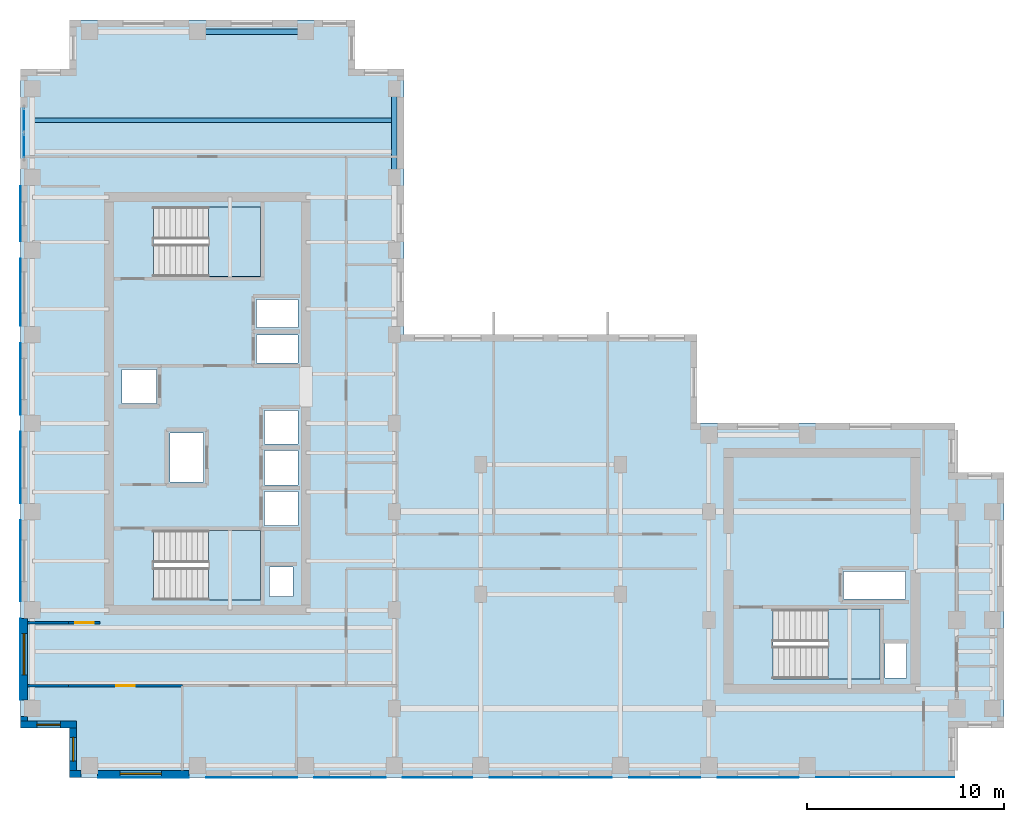
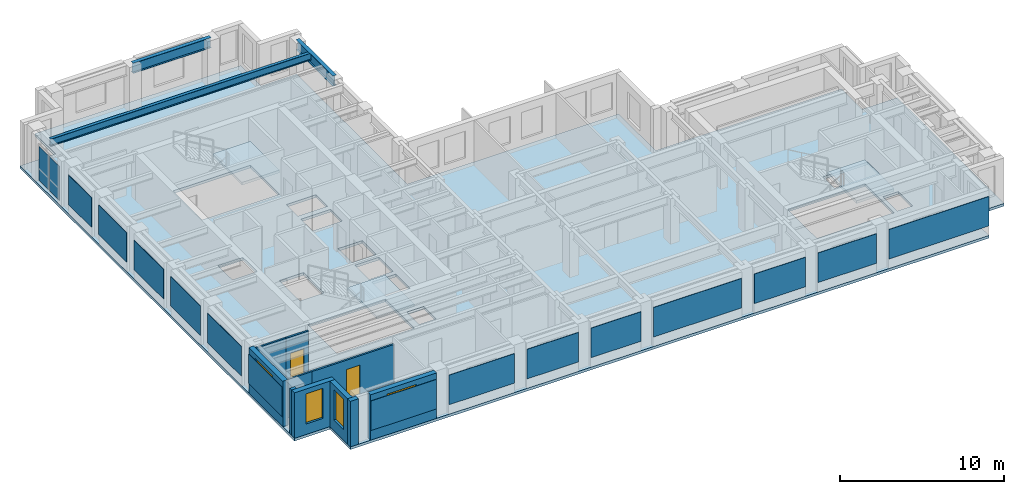
# One storey, part 5 of 12: 16 plates, 10 walls, 4 slabs, 4 windows, 3 beams, 2 doors, 6 openings, 4 elements without a shape of their own.
"""IFC4 building model written with IfcOpenShell, lengths in metres."""

from ifc_helpers import new_model, si_unit, direction, frame, frame_2d, origin, origin_2d, place, context, subcontext, project, spatial, polyline, rectangle, i_section, outline, extrude, source, transform, mapped, material, layer, layer_set, material_profile, profile_set, type_object, element, fill, aggregate, save


model = new_model("IFC4")

# Units and contexts
model_context = context("Model", 3, precision=1e-05, world=origin(), true_north=direction((0.0, 1.0)))
body_context = subcontext(model_context, "Body", "Model", "MODEL_VIEW")
ifc_project = project(units=[si_unit("LENGTHUNIT", "METRE"), si_unit("AREAUNIT", "SQUARE_METRE"), si_unit("VOLUMEUNIT", "CUBIC_METRE"), si_unit("PLANEANGLEUNIT", "RADIAN"), si_unit("MASSUNIT", "GRAM", prefix="KILO")], contexts=[model_context])

# Site, building, storey
site_placement = place(None, origin())
site = spatial("IfcSite", under=ifc_project, at=site_placement, CompositionType="ELEMENT")
building_placement = place(site_placement, origin())
building = spatial("IfcBuilding", under=site, at=building_placement, Name="Kharzan Plaza Tower", CompositionType="ELEMENT")
storey_placement = place(building_placement, frame((0.0, 0.0, 255.60009765625)))
storey = spatial("IfcBuildingStorey", under=building, at=storey_placement, Name="L69", CompositionType="ELEMENT", Elevation=255.60009765625)

# Beams
ifc_material_1 = material(Name="Steel S355", Category="steel")
ifc_material_profile_1 = material_profile(ifc_material_1, i_section(OverallWidth=0.2099609375, OverallDepth=0.537109375, WebThickness=0.010986328125, FlangeThickness=0.017333984375, at=origin_2d()), Name="W530x101")
ifc_profile_set_1 = profile_set([ifc_material_profile_1], Name="Steel S355")
beam_type_1 = type_object("IfcBeamType", Name="BM-JST530B", PredefinedType="JOIST", material=ifc_profile_set_1)
shared_shape_1 = source(origin(), body_context, "Body", "SweptSolid", [
    extrude(i_section(OverallWidth=0.2099609375, OverallDepth=0.537109375, WebThickness=0.010986328125, FlangeThickness=0.017333984375, at=origin_2d()), origin(), (0.0, 0.0, 1.0), 18.39990234375),
])
beam_1_placement = place(storey_placement, frame((0.60009765625, 33.39990234375, 3.13134765625), z_axis=(1.0, 0.0, 0.0), x_axis=(0.0, 1.0, 0.0)))
element("IfcBeam", 1, at=beam_1_placement, inside=storey, type_object=beam_type_1, Name="L69 Wing A Composite Joist 05", PredefinedType="JOIST", context=body_context, shape_type="MappedRepresentation", body=[
    mapped(shared_shape_1, transform((0.0, 0.0, 0.0), x_axis=(1.0, 0.0, 0.0), y_axis=(0.0, 1.0, 0.0), z_axis=(0.0, 0.0, 1.0))),
])
ifc_material_profile_2 = material_profile(ifc_material_1, i_section(OverallWidth=0.26708984375, OverallDepth=0.76611328125, WebThickness=0.014892578125, FlangeThickness=0.023681640625, at=origin_2d()), Name="W760x185")
ifc_profile_set_2 = profile_set([ifc_material_profile_2], Name="Steel S355")
beam_type_2 = type_object("IfcBeamType", Name="BM-SP760B", PredefinedType="SPANDREL", material=ifc_profile_set_2)
shared_shape_2 = source(origin(), body_context, "Body", "SweptSolid", [
    extrude(i_section(OverallWidth=0.26708984375, OverallDepth=0.76611328125, WebThickness=0.014892578125, FlangeThickness=0.023681640625, at=origin_2d()), origin(), (0.0, 0.0, 1.0), 4.5),
])
beam_2_placement = place(storey_placement, frame((19.0, 30.5, 3.016845703125), z_axis=(0.0, 1.0, 0.0), x_axis=(-1.0, 0.0, 0.0)))
element("IfcBeam", 2, at=beam_2_placement, inside=storey, type_object=beam_type_2, Name="L69 Perimeter Tube Spandrel", PredefinedType="SPANDREL", context=body_context, shape_type="MappedRepresentation", body=[
    mapped(shared_shape_2, transform((0.0, 0.0, 0.0), x_axis=(1.0, 0.0, 0.0), y_axis=(0.0, 1.0, 0.0), z_axis=(0.0, 0.0, 1.0))),
])
shared_shape_3 = source(origin(), body_context, "Body", "SweptSolid", [
    extrude(i_section(OverallWidth=0.26708984375, OverallDepth=0.76611328125, WebThickness=0.014892578125, FlangeThickness=0.023681640625, at=origin_2d()), origin(), (0.0, 0.0, 1.0), 5.5),
])
beam_3_placement = place(storey_placement, frame((9.0, 37.89990234375, 3.016845703125), z_axis=(1.0, 0.0, 0.0), x_axis=(0.0, 1.0, 0.0)))
element("IfcBeam", 3, at=beam_3_placement, inside=storey, type_object=beam_type_2, Name="L69 Perimeter Tube Spandrel", PredefinedType="SPANDREL", context=body_context, shape_type="MappedRepresentation", body=[
    mapped(shared_shape_3, transform((0.0, 0.0, 0.0), x_axis=(1.0, 0.0, 0.0), y_axis=(0.0, 1.0, 0.0), z_axis=(0.0, 0.0, 1.0))),
])

# Slab
ifc_material_2 = material(Name="Concrete C40/50", Category="concrete")
ifc_layer_1 = layer(ifc_material_2, 0.199951171875)
ifc_layer_set_1 = layer_set([ifc_layer_1], Name="Concrete C40/50")
slab_type_1 = type_object("IfcSlabType", Name="SL-FLOOR-200", PredefinedType="FLOOR", material=ifc_layer_set_1)
slab_1_placement = place(storey_placement, frame((0.0, 0.0, -0.2001953125)))
element("IfcSlab", 4, at=slab_1_placement, inside=storey, type_object=slab_type_1, Name="L69 Composite Structural Floor Slab 200 mm", PredefinedType="FLOOR", context=body_context, shape_type="SweptSolid", body=[
    extrude(outline(polyline([(34.39990234375, 18.0), (34.39990234375, 22.5), (19.5, 22.5), (19.5, 36.0), (17.0, 36.0), (17.0, 38.5), (2.5, 38.5), (2.5, 36.0), (0.0, 36.0), (0.0, 2.5), (2.5, 2.5), (2.5, 0.0), (19.5, 0.0), (34.39990234375, 0.0), (47.5, 0.0), (47.5, 2.5), (50.0, 2.5), (50.0, 15.5), (47.5, 15.5), (47.5, 18.0), (34.39990234375, 18.0)]), holes=[polyline([(12.199951171875, 12.550048828125), (6.75, 12.550048828125), (6.75, 9.0), (12.199951171875, 9.0), (12.199951171875, 12.550048828125)]), polyline([(14.10009765625, 12.800048828125), (14.10009765625, 14.530029296875), (12.39990234375, 14.530029296875), (12.39990234375, 12.800048828125), (14.10009765625, 12.800048828125)]), polyline([(9.300048828125, 15.0), (9.300048828125, 17.5), (7.60009765625, 17.5), (7.60009765625, 15.0), (9.300048828125, 15.0)]), polyline([(6.89990234375, 20.72998046875), (5.14990234375, 20.72998046875), (5.14990234375, 19.010009765625), (6.89990234375, 19.010009765625), (6.89990234375, 20.72998046875)]), polyline([(14.10009765625, 21.070068359375), (14.10009765625, 22.489990234375), (12.0, 22.489990234375), (12.0, 21.070068359375), (14.10009765625, 21.070068359375)]), polyline([(14.10009765625, 22.8701171875), (14.10009765625, 24.2900390625), (12.0, 24.2900390625), (12.0, 22.8701171875), (14.10009765625, 22.8701171875)]), polyline([(12.199951171875, 29.0), (6.75, 29.0), (6.75, 25.449951171875), (12.199951171875, 25.449951171875), (12.199951171875, 29.0)]), polyline([(45.050048828125, 5.050048828125), (45.050048828125, 6.800048828125), (43.949951171875, 6.800048828125), (43.949951171875, 5.050048828125), (45.050048828125, 5.050048828125)]), polyline([(43.699951171875, 5.0), (43.699951171875, 8.550048828125), (38.25, 8.550048828125), (38.25, 5.0), (43.699951171875, 5.0)]), polyline([(45.0, 9.070068359375), (45.0, 10.469970703125), (41.85009765625, 10.469970703125), (41.85009765625, 9.070068359375), (45.0, 9.070068359375)]), polyline([(13.85009765625, 9.199951171875), (13.85009765625, 10.699951171875), (12.64990234375, 10.699951171875), (12.64990234375, 9.199951171875), (13.85009765625, 9.199951171875)]), polyline([(14.10009765625, 14.8701171875), (14.10009765625, 16.60009765625), (12.39990234375, 16.60009765625), (12.39990234375, 14.8701171875), (14.10009765625, 14.8701171875)]), polyline([(14.10009765625, 16.93994140625), (14.10009765625, 18.64990234375), (12.39990234375, 18.64990234375), (12.39990234375, 16.93994140625), (14.10009765625, 16.93994140625)])]), origin(), (0.0, 0.0, 1.0), 0.2001953125),
])

# Stair, slab
stair_type_1 = type_object("IfcStairType", Name="STR-ST-1", PredefinedType="HALF_TURN_STAIR", material=ifc_material_2)
stair_1_placement = place(storey_placement, origin())
stair_1 = element("IfcStair", 5, at=stair_1_placement, inside=storey, type_object=stair_type_1, Name="L69 Protected Exit Stair ST-1", PredefinedType="HALF_TURN_STAIR")
ifc_layer_2 = layer(ifc_material_2, 0.219970703125)
ifc_layer_set_2 = layer_set([ifc_layer_2], Name="Concrete C40/50")
slab_type_2 = type_object("IfcSlabType", Name="SL-LANDING-220", PredefinedType="LANDING", material=ifc_layer_set_2)
slab_2_placement = place(storey_placement, frame((0.0, 0.0, 1.599853515625)))
slab_2 = element("IfcSlab", 6, at=slab_2_placement, type_object=slab_type_2, Name="ST-1 landing 1", PredefinedType="LANDING", context=body_context, shape_type="SweptSolid", body=[
    extrude(outline(polyline([(9.550048828125, 9.0), (12.199951171875, 9.0), (12.199951171875, 12.550048828125), (9.550048828125, 12.550048828125), (9.550048828125, 9.0)])), origin(), (0.0, 0.0, 1.0), 0.199951171875),
])
aggregate(stair_1, [slab_2])

stair_type_2 = type_object("IfcStairType", Name="STR-ST-2", PredefinedType="HALF_TURN_STAIR", material=ifc_material_2)
stair_2_placement = place(storey_placement, origin())
stair_2 = element("IfcStair", 7, at=stair_2_placement, inside=storey, type_object=stair_type_2, Name="L69 Protected Exit Stair ST-2", PredefinedType="HALF_TURN_STAIR")
slab_3_placement = place(storey_placement, frame((0.0, 0.0, 1.599853515625)))
slab_3 = element("IfcSlab", 8, at=slab_3_placement, type_object=slab_type_2, Name="ST-2 landing 1", PredefinedType="LANDING", context=body_context, shape_type="SweptSolid", body=[
    extrude(outline(polyline([(9.550048828125, 25.449951171875), (12.199951171875, 25.449951171875), (12.199951171875, 29.0), (9.550048828125, 29.0), (9.550048828125, 25.449951171875)])), origin(), (0.0, 0.0, 1.0), 0.199951171875),
])
aggregate(stair_2, [slab_3])

stair_type_3 = type_object("IfcStairType", Name="STR-ST-3", PredefinedType="HALF_TURN_STAIR", material=ifc_material_2)
stair_3_placement = place(storey_placement, origin())
stair_3 = element("IfcStair", 9, at=stair_3_placement, inside=storey, type_object=stair_type_3, Name="L69 Protected Exit Stair ST-3", PredefinedType="HALF_TURN_STAIR")
slab_4_placement = place(storey_placement, frame((0.0, 0.0, 1.599853515625)))
slab_4 = element("IfcSlab", 10, at=slab_4_placement, type_object=slab_type_2, Name="ST-3 landing 1", PredefinedType="LANDING", context=body_context, shape_type="SweptSolid", body=[
    extrude(outline(polyline([(41.050048828125, 5.0), (43.699951171875, 5.0), (43.699951171875, 8.550048828125), (41.050048828125, 8.550048828125), (41.050048828125, 5.0)])), origin(), (0.0, 0.0, 1.0), 0.199951171875),
])
aggregate(stair_3, [slab_4])

# Plates
ifc_material_3 = material(Name="Perforated Bronze-Anodized Aluminium", Category="aluminium")
ifc_layer_3 = layer(ifc_material_3, 0.030029296875)
ifc_layer_set_3 = layer_set([ifc_layer_3], Name="Perforated Bronze-Anodized Aluminium")
plate_type_1 = type_object("IfcPlateType", Name="PLT-MASH-SCREEN", PredefinedType="SHEET", material=ifc_layer_set_3)
shared_shape_4 = source(origin(), body_context, "Body", "SweptSolid", [
    extrude(rectangle(XDim=3.614013671875, YDim=0.030029296875, at=origin_2d()), origin(), (0.0, 0.0, 1.0), 2.199951171875),
])
for number, where, z_axis, x_axis, name in (
    (11, (-0.012939453125, 20.25, 0.72998046875), (0.0, 0.0, 1.0), (0.0, -1.0, 0.0), "L69 Perforated Mashrabiya Solar Screen"),
    (12, (-0.012939453125, 15.75, 0.72998046875), (0.0, 0.0, 1.0), (0.0, -1.0, 0.0), "L69 Perforated Mashrabiya Solar Screen"),
    (13, (16.75, -0.012939453125, 0.72998046875), (0.0, 0.0, 1.0), (1.0, 0.0, 0.0), "L69 Perforated Mashrabiya Solar Screen"),
    (14, (32.75, -0.012939453125, 0.72998046875), (0.0, 0.0, 1.0), (1.0, 0.0, 0.0), "L69 Perforated Mashrabiya Solar Screen"),
):
    element("IfcPlate", number, at=place(storey_placement, frame(where, z_axis=z_axis, x_axis=x_axis)), inside=storey, type_object=plate_type_1, Name=name, PredefinedType="SHEET", context=body_context, shape_type="MappedRepresentation", body=[
        mapped(shared_shape_4, transform((0.0, 0.0, 0.0), x_axis=(1.0, 0.0, 0.0), y_axis=(0.0, 1.0, 0.0), z_axis=(0.0, 0.0, 1.0))),
    ])
shared_shape_5 = source(origin(), body_context, "Body", "SweptSolid", [
    extrude(rectangle(XDim=2.81396484375, YDim=0.030029296875, at=origin_2d()), origin(), (0.0, 0.0, 1.0), 2.199951171875),
])
plate_1_placement = place(storey_placement, frame((-0.012939453125, 28.64990234375, 0.72998046875), z_axis=(0.0, 0.0, 1.0), x_axis=(0.0, -1.0, 0.0)))
element("IfcPlate", 15, at=plate_1_placement, inside=storey, type_object=plate_type_1, Name="L69 Perforated Mashrabiya Solar Screen", PredefinedType="SHEET", context=body_context, shape_type="MappedRepresentation", body=[
    mapped(shared_shape_5, transform((0.0, 0.0, 0.0), x_axis=(1.0, 0.0, 0.0), y_axis=(0.0, 1.0, 0.0), z_axis=(0.0, 0.0, 1.0))),
])
shared_shape_6 = source(origin(), body_context, "Body", "SweptSolid", [
    extrude(rectangle(XDim=4.114013671875, YDim=0.030029296875, at=origin_2d()), origin(), (0.0, 0.0, 1.0), 2.199951171875),
])
for number, where, z_axis, x_axis, name in (
    (16, (-0.012939453125, 11.0, 0.72998046875), (0.0, 0.0, 1.0), (0.0, -1.0, 0.0), "L69 Perforated Mashrabiya Solar Screen"),
    (17, (-0.012939453125, 6.0, 0.72998046875), (0.0, 0.0, 1.0), (0.0, -1.0, 0.0), "L69 Perforated Mashrabiya Solar Screen"),
    (18, (37.5, -0.012939453125, 0.72998046875), (0.0, 0.0, 1.0), (1.0, 0.0, 0.0), "L69 Perforated Mashrabiya Solar Screen"),
):
    element("IfcPlate", number, at=place(storey_placement, frame(where, z_axis=z_axis, x_axis=x_axis)), inside=storey, type_object=plate_type_1, Name=name, PredefinedType="SHEET", context=body_context, shape_type="MappedRepresentation", body=[
        mapped(shared_shape_6, transform((0.0, 0.0, 0.0), x_axis=(1.0, 0.0, 0.0), y_axis=(0.0, 1.0, 0.0), z_axis=(0.0, 0.0, 1.0))),
    ])
shared_shape_7 = source(origin(), body_context, "Body", "SweptSolid", [
    extrude(rectangle(XDim=4.614013671875, YDim=0.030029296875, at=origin_2d()), origin(), (0.0, 0.0, 1.0), 2.199951171875),
])
for number, where, z_axis, x_axis, name in (
    (19, (6.25, -0.012939453125, 0.72998046875), (0.0, 0.0, 1.0), (1.0, 0.0, 0.0), "L69 Perforated Mashrabiya Solar Screen"),
    (20, (11.75, -0.012939453125, 0.72998046875), (0.0, 0.0, 1.0), (1.0, 0.0, 0.0), "L69 Perforated Mashrabiya Solar Screen"),
):
    element("IfcPlate", number, at=place(storey_placement, frame(where, z_axis=z_axis, x_axis=x_axis)), inside=storey, type_object=plate_type_1, Name=name, PredefinedType="SHEET", context=body_context, shape_type="MappedRepresentation", body=[
        mapped(shared_shape_7, transform((0.0, 0.0, 0.0), x_axis=(1.0, 0.0, 0.0), y_axis=(0.0, 1.0, 0.0), z_axis=(0.0, 0.0, 1.0))),
    ])
shared_shape_8 = source(origin(), body_context, "Body", "SweptSolid", [
    extrude(rectangle(XDim=7.037109375, YDim=0.030029296875, at=origin_2d()), origin(), (0.0, 0.0, 1.0), 2.199951171875),
])
plate_2_placement = place(storey_placement, frame((43.96142578125, -0.012939453125, 0.72998046875), z_axis=(0.0, 0.0, 1.0), x_axis=(1.0, 0.0, 0.0)))
element("IfcPlate", 21, at=plate_2_placement, inside=storey, type_object=plate_type_1, Name="L69 Perforated Mashrabiya Solar Screen", PredefinedType="SHEET", context=body_context, shape_type="MappedRepresentation", body=[
    mapped(shared_shape_8, transform((0.0, 0.0, 0.0), x_axis=(1.0, 0.0, 0.0), y_axis=(0.0, 1.0, 0.0), z_axis=(0.0, 0.0, 1.0))),
])
shared_shape_9 = source(origin(), body_context, "Body", "SweptSolid", [
    extrude(rectangle(XDim=3.4140625, YDim=0.030029296875, at=origin_2d()), origin(), (0.0, 0.0, 1.0), 2.199951171875),
])
plate_3_placement = place(storey_placement, frame((-0.012939453125, 24.64990234375, 0.72998046875), z_axis=(0.0, 0.0, 1.0), x_axis=(0.0, -1.0, 0.0)))
element("IfcPlate", 22, at=plate_3_placement, inside=storey, type_object=plate_type_1, Name="L69 Perforated Mashrabiya Solar Screen", PredefinedType="SHEET", context=body_context, shape_type="MappedRepresentation", body=[
    mapped(shared_shape_9, transform((0.0, 0.0, 0.0), x_axis=(1.0, 0.0, 0.0), y_axis=(0.0, 1.0, 0.0), z_axis=(0.0, 0.0, 1.0))),
])

# Curtain wall, plates
ifc_material_4 = material(Name="Unitised Bronze-Anodized Aluminium and Low-E Glass", Category="aluminium")
ifc_layer_4 = layer(ifc_material_4, 0.199951171875)
ifc_layer_set_4 = layer_set([ifc_layer_4], Name="Unitised Bronze-Anodized Aluminium and Low-E Glass")
curtain_wall_type = type_object("IfcCurtainWallType", Name="CW-EXEC-5", PredefinedType="NOTDEFINED", material=ifc_layer_set_4)
curtain_wall_placement = place(storey_placement, origin())
curtain_wall = element("IfcCurtainWall", 23, at=curtain_wall_placement, inside=storey, type_object=curtain_wall_type, Name="L69 Upper Executive Setback Panoramic Curtain Wall", PredefinedType="NOTDEFINED")
ifc_material_5 = material(Name="Dark Solar-Control Double Glazing", Category="glass")
ifc_layer_5 = layer(ifc_material_5, 0.031982421875)
ifc_layer_set_5 = layer_set([ifc_layer_5], Name="Dark Solar-Control Double Glazing")
plate_type_2 = type_object("IfcPlateType", Name="PLT-CW-GLASS", PredefinedType="CURTAIN_PANEL", material=ifc_layer_set_5)
shared_shape_10 = source(origin(), body_context, "Body", "SweptSolid", [
    extrude(rectangle(XDim=1.179931640625, YDim=0.031982421875, at=origin_2d()), origin(), (0.0, 0.0, 1.0), 2.5400390625),
])
plate_4_placement = place(storey_placement, frame((0.179931640625, 32.10009765625, 0.079833984375), z_axis=(0.0, 0.0, 1.0), x_axis=(0.0, 1.0, 0.0)))
plate_4 = element("IfcPlate", 24, at=plate_4_placement, type_object=plate_type_2, Name="L69 Curtain-Wall Glazed Panel 00", PredefinedType="CURTAIN_PANEL", context=body_context, shape_type="MappedRepresentation", body=[
    mapped(shared_shape_10, transform((0.0, 0.0, 0.0), x_axis=(1.0, 0.0, 0.0), y_axis=(0.0, 1.0, 0.0), z_axis=(0.0, 0.0, 1.0))),
])
plate_5_placement = place(storey_placement, frame((0.179931640625, 33.39990234375, 0.079833984375), z_axis=(0.0, 0.0, 1.0), x_axis=(0.0, 1.0, 0.0)))
plate_5 = element("IfcPlate", 25, at=plate_5_placement, type_object=plate_type_2, Name="L69 Curtain-Wall Glazed Panel 01", PredefinedType="CURTAIN_PANEL", context=body_context, shape_type="MappedRepresentation", body=[
    mapped(shared_shape_10, transform((0.0, 0.0, 0.0), x_axis=(1.0, 0.0, 0.0), y_axis=(0.0, 1.0, 0.0), z_axis=(0.0, 0.0, 1.0))),
])
aggregate(curtain_wall, [plate_4, plate_5])

# Plates
shared_shape_11 = source(origin(), body_context, "Body", "SweptSolid", [
    extrude(rectangle(XDim=3.513916015625, YDim=0.030029296875, at=origin_2d()), origin(), (0.0, 0.0, 1.0), 2.199951171875),
])
plate_6_placement = place(storey_placement, frame((21.199951171875, -0.012939453125, 0.72998046875), z_axis=(0.0, 0.0, 1.0), x_axis=(1.0, 0.0, 0.0)))
element("IfcPlate", 26, at=plate_6_placement, inside=storey, type_object=plate_type_1, Name="L69 Perforated Mashrabiya Solar Screen", PredefinedType="SHEET", context=body_context, shape_type="MappedRepresentation", body=[
    mapped(shared_shape_11, transform((0.0, 0.0, 0.0), x_axis=(1.0, 0.0, 0.0), y_axis=(0.0, 1.0, 0.0), z_axis=(0.0, 0.0, 1.0))),
])
shared_shape_12 = source(origin(), body_context, "Body", "SweptSolid", [
    extrude(rectangle(XDim=6.214111328125, YDim=0.030029296875, at=origin_2d()), origin(), (0.0, 0.0, 1.0), 2.199951171875),
])
plate_7_placement = place(storey_placement, frame((26.949951171875, -0.012939453125, 0.72998046875), z_axis=(0.0, 0.0, 1.0), x_axis=(1.0, 0.0, 0.0)))
element("IfcPlate", 27, at=plate_7_placement, inside=storey, type_object=plate_type_1, Name="L69 Perforated Mashrabiya Solar Screen", PredefinedType="SHEET", context=body_context, shape_type="MappedRepresentation", body=[
    mapped(shared_shape_12, transform((0.0, 0.0, 0.0), x_axis=(1.0, 0.0, 0.0), y_axis=(0.0, 1.0, 0.0), z_axis=(0.0, 0.0, 1.0))),
])

# Wall, opening, window
ifc_layer_6 = layer(ifc_material_2, 0.35009765625)
ifc_layer_set_6 = layer_set([ifc_layer_6], Name="Concrete C40/50")
wall_type_1 = type_object("IfcWallType", Name="WL-EXT-MAS-Z4", PredefinedType="SOLIDWALL", material=ifc_layer_set_6)
wall_1_placement = place(storey_placement, frame((0.175048828125, 8.076904296875, 0.0), z_axis=(0.0, 0.0, 1.0), x_axis=(0.0, -1.0, 0.0)))
wall_1 = element("IfcWall", 28, at=wall_1_placement, inside=storey, type_object=wall_type_1, Name="L69 Masonry-Frame Exterior Wall 22", PredefinedType="SOLIDWALL", context=body_context, shape_type="SweptSolid", body=[
    extrude(rectangle(XDim=4.15380859375, YDim=0.35009765625, at=frame_2d((2.076904296875, 0.0))), origin(), (0.0, 0.0, 1.0), 3.385009765625),
])
opening_1_placement = place(wall_1_placement, frame((0.777099609375, 0.0, 0.780029296875)))
opening_1 = element("IfcOpeningElement", 29, at=opening_1_placement, cuts=wall_1, Name="Opening W6", PredefinedType="OPENING", context=body_context, shape_type="SweptSolid", body=[
    extrude(rectangle(XDim=2.10009765625, YDim=2.25, at=frame_2d((1.050048828125, 1.125))), frame((0.0, 0.18505859375, 0.0), z_axis=(0.0, -1.0, 0.0), x_axis=(1.0, 0.0, 0.0)), (0.0, 0.0, 1.0), 0.3701171875),
])
ifc_material_6 = material(Name="Low-E Double Glazing", Category="glass")
window_type_1 = type_object("IfcWindowType", Name="WN-EXEC-2100x2250", PartitioningType="SINGLE_PANEL", PredefinedType="WINDOW", material=ifc_material_6)
shared_shape_13 = source(origin(), body_context, "Body", "SweptSolid", [
    extrude(rectangle(XDim=2.10009765625, YDim=2.25, at=frame_2d((1.050048828125, 1.125))), frame((0.0, 0.030029296875, 0.0), z_axis=(0.0, -1.0, 0.0), x_axis=(1.0, 0.0, 0.0)), (0.0, 0.0, 1.0), 0.06005859375),
])
window_1_placement = place(opening_1_placement, origin())
window_1 = element("IfcWindow", 30, at=window_1_placement, inside=storey, type_object=window_type_1, Name="L69 Recessed Solar-Control Window 22-1", OverallHeight=2.25, OverallWidth=2.10009765625, PartitioningType="SINGLE_PANEL", PredefinedType="WINDOW", context=body_context, shape_type="MappedRepresentation", body=[
    mapped(shared_shape_13, transform((0.0, 0.0, 0.0), x_axis=(1.0, 0.0, 0.0), y_axis=(0.0, 1.0, 0.0), z_axis=(0.0, 0.0, 1.0))),
])
fill(opening_1, window_1)

wall_2_placement = place(storey_placement, frame((0.0, 2.675048828125, 0.0), z_axis=(0.0, 0.0, 1.0), x_axis=(1.0, 0.0, 0.0)))
wall_2 = element("IfcWall", 31, at=wall_2_placement, inside=storey, type_object=wall_type_1, Name="L69 Masonry-Frame Exterior Wall 24", PredefinedType="SOLIDWALL", context=body_context, shape_type="SweptSolid", body=[
    extrude(rectangle(XDim=2.85009765625, YDim=0.35009765625, at=frame_2d((1.425048828125, 0.0))), origin(), (0.0, 0.0, 1.0), 3.385009765625),
])
opening_2_placement = place(wall_2_placement, frame((0.824951171875, 0.0, 0.780029296875)))
opening_2 = element("IfcOpeningElement", 32, at=opening_2_placement, cuts=wall_2, Name="Opening W3", PredefinedType="OPENING", context=body_context, shape_type="SweptSolid", body=[
    extrude(rectangle(XDim=1.199951171875, YDim=2.25, at=frame_2d((0.60009765625, 1.125))), frame((0.0, 0.18505859375, 0.0), z_axis=(0.0, -1.0, 0.0), x_axis=(1.0, 0.0, 0.0)), (0.0, 0.0, 1.0), 0.3701171875),
])
window_type_2 = type_object("IfcWindowType", Name="WN-REC-1200x2100", PartitioningType="SINGLE_PANEL", PredefinedType="WINDOW", material=ifc_material_6)
shared_shape_14 = source(origin(), body_context, "Body", "SweptSolid", [
    extrude(rectangle(XDim=1.199951171875, YDim=2.25, at=frame_2d((0.60009765625, 1.125))), frame((0.0, 0.030029296875, 0.0), z_axis=(0.0, -1.0, 0.0), x_axis=(1.0, 0.0, 0.0)), (0.0, 0.0, 1.0), 0.06005859375),
])
window_2_placement = place(opening_2_placement, origin())
window_2 = element("IfcWindow", 33, at=window_2_placement, inside=storey, type_object=window_type_2, Name="L69 Recessed Solar-Control Window 24-1", OverallHeight=2.25, OverallWidth=1.199951171875, PartitioningType="SINGLE_PANEL", PredefinedType="WINDOW", context=body_context, shape_type="MappedRepresentation", body=[
    mapped(shared_shape_14, transform((0.0, 0.0, 0.0), x_axis=(1.0, 0.0, 0.0), y_axis=(0.0, 1.0, 0.0), z_axis=(0.0, 0.0, 1.0))),
])
fill(opening_2, window_2)

wall_3_placement = place(storey_placement, frame((2.675048828125, 2.501953125, 0.0), z_axis=(0.0, 0.0, 1.0), x_axis=(0.0, -1.0, 0.0)))
wall_3 = element("IfcWall", 34, at=wall_3_placement, inside=storey, type_object=wall_type_1, Name="L69 Masonry-Frame Exterior Wall 25", PredefinedType="SOLIDWALL", context=body_context, shape_type="SweptSolid", body=[
    extrude(rectangle(XDim=2.154052734375, YDim=0.35009765625, at=frame_2d((1.0771484375, 0.0))), origin(), (0.0, 0.0, 1.0), 3.385009765625),
])
opening_3_placement = place(wall_3_placement, frame((0.47705078125, 0.0, 0.780029296875)))
opening_3 = element("IfcOpeningElement", 35, at=opening_3_placement, cuts=wall_3, Name="Opening W3", PredefinedType="OPENING", context=body_context, shape_type="SweptSolid", body=[
    extrude(rectangle(XDim=1.199951171875, YDim=2.25, at=frame_2d((0.60009765625, 1.125))), frame((0.0, 0.18505859375, 0.0), z_axis=(0.0, -1.0, 0.0), x_axis=(1.0, 0.0, 0.0)), (0.0, 0.0, 1.0), 0.3701171875),
])
window_3_placement = place(opening_3_placement, origin())
window_3 = element("IfcWindow", 36, at=window_3_placement, inside=storey, type_object=window_type_2, Name="L69 Recessed Solar-Control Window 25-1", OverallHeight=2.25, OverallWidth=1.199951171875, PartitioningType="SINGLE_PANEL", PredefinedType="WINDOW", context=body_context, shape_type="MappedRepresentation", body=[
    mapped(shared_shape_14, transform((0.0, 0.0, 0.0), x_axis=(1.0, 0.0, 0.0), y_axis=(0.0, 1.0, 0.0), z_axis=(0.0, 0.0, 1.0))),
])
fill(opening_3, window_3)

wall_4_placement = place(storey_placement, frame((3.923095703125, 0.175048828125, 0.0), z_axis=(0.0, 0.0, 1.0), x_axis=(1.0, 0.0, 0.0)))
wall_4 = element("IfcWall", 37, at=wall_4_placement, inside=storey, type_object=wall_type_1, Name="L69 Masonry-Frame Exterior Wall 27", PredefinedType="SOLIDWALL", context=body_context, shape_type="SweptSolid", body=[
    extrude(rectangle(XDim=4.65380859375, YDim=0.35009765625, at=frame_2d((2.326904296875, 0.0))), origin(), (0.0, 0.0, 1.0), 3.385009765625),
])
opening_4_placement = place(wall_4_placement, frame((1.136962890625, 0.0, 0.780029296875)))
opening_4 = element("IfcOpeningElement", 38, at=opening_4_placement, cuts=wall_4, Name="Opening W6", PredefinedType="OPENING", context=body_context, shape_type="SweptSolid", body=[
    extrude(rectangle(XDim=2.10009765625, YDim=2.25, at=frame_2d((1.050048828125, 1.125))), frame((0.0, 0.18505859375, 0.0), z_axis=(0.0, -1.0, 0.0), x_axis=(1.0, 0.0, 0.0)), (0.0, 0.0, 1.0), 0.3701171875),
])
window_4_placement = place(opening_4_placement, origin())
window_4 = element("IfcWindow", 39, at=window_4_placement, inside=storey, type_object=window_type_1, Name="L69 Recessed Solar-Control Window 27-1", OverallHeight=2.25, OverallWidth=2.10009765625, PartitioningType="SINGLE_PANEL", PredefinedType="WINDOW", context=body_context, shape_type="MappedRepresentation", body=[
    mapped(shared_shape_13, transform((0.0, 0.0, 0.0), x_axis=(1.0, 0.0, 0.0), y_axis=(0.0, 1.0, 0.0), z_axis=(0.0, 0.0, 1.0))),
])
fill(opening_4, window_4)

# Wall, opening, door
ifc_material_7 = material(Name="Fire-Rated Gypsum Board Partition", Category="gypsum")
ifc_layer_7 = layer(ifc_material_7, 0.125)
ifc_layer_set_7 = layer_set([ifc_layer_7], Name="Fire-Rated Gypsum Board Partition")
wall_type_2 = type_object("IfcWallType", Name="WL-INT-PART-125", PredefinedType="PARTITIONING", material=ifc_layer_set_7)
wall_5_placement = place(storey_placement, frame((2.449951171875, 7.85009765625, 0.0), z_axis=(0.0, 0.0, 1.0), x_axis=(1.0, 0.0, 0.0)))
wall_5 = element("IfcWall", 40, at=wall_5_placement, inside=storey, type_object=wall_type_2, Name="L69 Interior Partition SH-RWSD", PredefinedType="PARTITIONING", context=body_context, shape_type="SweptSolid", body=[
    extrude(rectangle(XDim=1.60009765625, YDim=0.125, at=frame_2d((0.800048828125, 0.0))), origin(), (0.0, 0.0, 1.0), 3.385009765625),
])
opening_5_placement = place(wall_5_placement, frame((0.324951171875, 0.0, 0.0)))
opening_5 = element("IfcOpeningElement", 41, at=opening_5_placement, cuts=wall_5, Name="Opening OD1", PredefinedType="OPENING", context=body_context, shape_type="SweptSolid", body=[
    extrude(rectangle(XDim=0.949951171875, YDim=2.14990234375, at=frame_2d((0.47509765625, 1.074951171875))), frame((0.0, 0.072509765625, 0.0), z_axis=(0.0, -1.0, 0.0), x_axis=(1.0, 0.0, 0.0)), (0.0, 0.0, 1.0), 0.14501953125),
])
ifc_material_8 = material(Name="Acoustic Solid-Core Stained Oak", Category="timber")
door_type = type_object("IfcDoorType", Name="DR-OFF-SINGLE", OperationType="NOTDEFINED", PredefinedType="DOOR", material=ifc_material_8)
shared_shape_15 = source(origin(), body_context, "Body", "SweptSolid", [
    extrude(rectangle(XDim=0.949951171875, YDim=2.14990234375, at=frame_2d((0.47509765625, 1.074951171875))), frame((0.0, 0.02490234375, 0.0), z_axis=(0.0, -1.0, 0.0), x_axis=(1.0, 0.0, 0.0)), (0.0, 0.0, 1.0), 0.050048828125),
])
door_1_placement = place(opening_5_placement, origin())
door_1 = element("IfcDoor", 42, at=door_1_placement, inside=storey, type_object=door_type, Name="L69 West Studio South Door", OperationType="SINGLE_SWING_RIGHT", OverallHeight=2.14990234375, OverallWidth=0.949951171875, PredefinedType="DOOR", context=body_context, shape_type="MappedRepresentation", body=[
    mapped(shared_shape_15, transform((0.0, 0.0, 0.0), x_axis=(1.0, 0.0, 0.0), y_axis=(0.0, 1.0, 0.0), z_axis=(0.0, 0.0, 1.0))),
])
fill(opening_5, door_1)

wall_6_placement = place(storey_placement, frame((2.449951171875, 4.64990234375, 0.0), z_axis=(0.0, 0.0, 1.0), x_axis=(1.0, 0.0, 0.0)))
wall_6 = element("IfcWall", 43, at=wall_6_placement, inside=storey, type_object=wall_type_2, Name="L69 Interior Partition SH-SS-1", PredefinedType="PARTITIONING", context=body_context, shape_type="SweptSolid", body=[
    extrude(rectangle(XDim=5.777099609375, YDim=0.125, at=frame_2d((2.888671875, 0.0))), origin(), (0.0, 0.0, 1.0), 2.847900390625),
])
opening_6_placement = place(wall_6_placement, frame((2.41357421875, 0.0, 0.0)))
opening_6 = element("IfcOpeningElement", 44, at=opening_6_placement, cuts=wall_6, Name="Opening OD1", PredefinedType="OPENING", context=body_context, shape_type="SweptSolid", body=[
    extrude(rectangle(XDim=0.949951171875, YDim=2.14990234375, at=frame_2d((0.47509765625, 1.074951171875))), frame((0.0, 0.072509765625, 0.0), z_axis=(0.0, -1.0, 0.0), x_axis=(1.0, 0.0, 0.0)), (0.0, 0.0, 1.0), 0.14501953125),
])
door_2_placement = place(opening_6_placement, origin())
door_2 = element("IfcDoor", 45, at=door_2_placement, inside=storey, type_object=door_type, Name="L69 Software Engineering Office Door", OperationType="SINGLE_SWING_LEFT", OverallHeight=2.14990234375, OverallWidth=0.949951171875, PredefinedType="DOOR", context=body_context, shape_type="MappedRepresentation", body=[
    mapped(shared_shape_15, transform((0.0, 0.0, 0.0), x_axis=(1.0, 0.0, 0.0), y_axis=(0.0, 1.0, 0.0), z_axis=(0.0, 0.0, 1.0))),
])
fill(opening_6, door_2)

# Walls
shared_shape_16 = source(origin(), body_context, "Body", "SweptSolid", [
    extrude(rectangle(XDim=2.097900390625, YDim=0.125, at=frame_2d((1.048828125, 0.0))), origin(), (0.0, 0.0, 1.0), 3.385009765625),
])
wall_7_placement = place(storey_placement, frame((0.35205078125, 7.85009765625, 0.0), z_axis=(0.0, 0.0, 1.0), x_axis=(1.0, 0.0, 0.0)))
element("IfcWall", 46, at=wall_7_placement, inside=storey, type_object=wall_type_2, Name="L69 Interior Partition SH-RWS0", PredefinedType="PARTITIONING", context=body_context, shape_type="MappedRepresentation", body=[
    mapped(shared_shape_16, transform((0.0, 0.0, 0.0), x_axis=(1.0, 0.0, 0.0), y_axis=(0.0, 1.0, 0.0), z_axis=(0.0, 0.0, 1.0))),
])
shared_shape_17 = source(origin(), body_context, "Body", "SweptSolid", [
    extrude(rectangle(XDim=2.097900390625, YDim=0.125, at=frame_2d((1.048828125, 0.0))), origin(), (0.0, 0.0, 1.0), 2.847900390625),
])
wall_8_placement = place(storey_placement, frame((0.35205078125, 4.64990234375, 0.0), z_axis=(0.0, 0.0, 1.0), x_axis=(1.0, 0.0, 0.0)))
element("IfcWall", 47, at=wall_8_placement, inside=storey, type_object=wall_type_2, Name="L69 Interior Partition SH-SS-EXT", PredefinedType="PARTITIONING", context=body_context, shape_type="MappedRepresentation", body=[
    mapped(shared_shape_17, transform((0.0, 0.0, 0.0), x_axis=(1.0, 0.0, 0.0), y_axis=(0.0, 1.0, 0.0), z_axis=(0.0, 0.0, 1.0))),
])
shared_shape_18 = source(origin(), body_context, "Body", "SweptSolid", [
    extrude(rectangle(XDim=0.576904296875, YDim=0.35009765625, at=frame_2d((0.28857421875, 0.0))), origin(), (0.0, 0.0, 1.0), 3.385009765625),
])
wall_9_placement = place(storey_placement, frame((2.5, 0.175048828125, 0.0), z_axis=(0.0, 0.0, 1.0), x_axis=(1.0, 0.0, 0.0)))
element("IfcWall", 48, at=wall_9_placement, inside=storey, type_object=wall_type_1, Name="L69 Masonry-Frame Exterior Wall 26", PredefinedType="SOLIDWALL", context=body_context, shape_type="MappedRepresentation", body=[
    mapped(shared_shape_18, transform((0.0, 0.0, 0.0), x_axis=(1.0, 0.0, 0.0), y_axis=(0.0, 1.0, 0.0), z_axis=(0.0, 0.0, 1.0))),
])
shared_shape_19 = source(origin(), body_context, "Body", "SweptSolid", [
    extrude(rectangle(XDim=0.22900390625, YDim=0.35009765625, at=frame_2d((0.114501953125, 0.0))), origin(), (0.0, 0.0, 1.0), 3.385009765625),
])
wall_10_placement = place(storey_placement, frame((0.175048828125, 3.076904296875, 0.0), z_axis=(0.0, 0.0, 1.0), x_axis=(0.0, -1.0, 0.0)))
element("IfcWall", 49, at=wall_10_placement, inside=storey, type_object=wall_type_1, Name="L69 Masonry-Frame Exterior Wall 23", PredefinedType="SOLIDWALL", context=body_context, shape_type="MappedRepresentation", body=[
    mapped(shared_shape_19, transform((0.0, 0.0, 0.0), x_axis=(1.0, 0.0, 0.0), y_axis=(0.0, 1.0, 0.0), z_axis=(0.0, 0.0, 1.0))),
])

save(model, "model.ifc")
